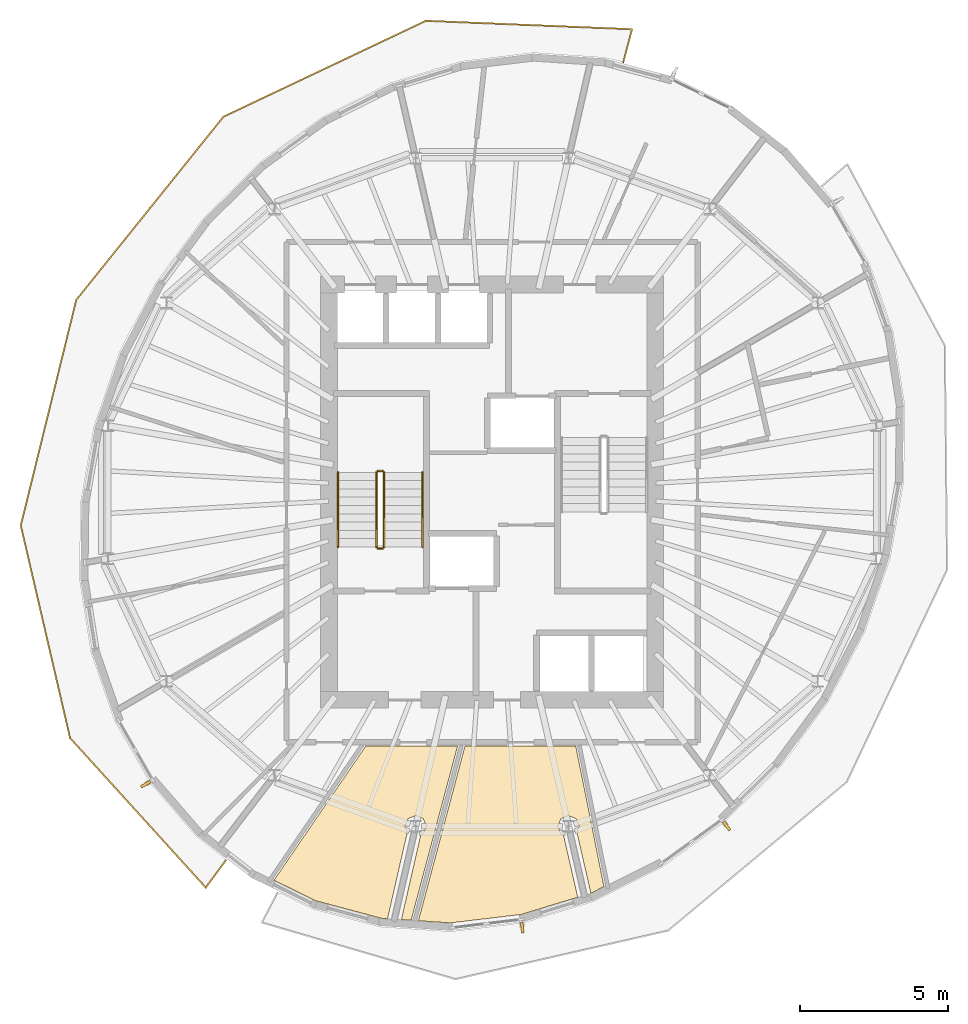
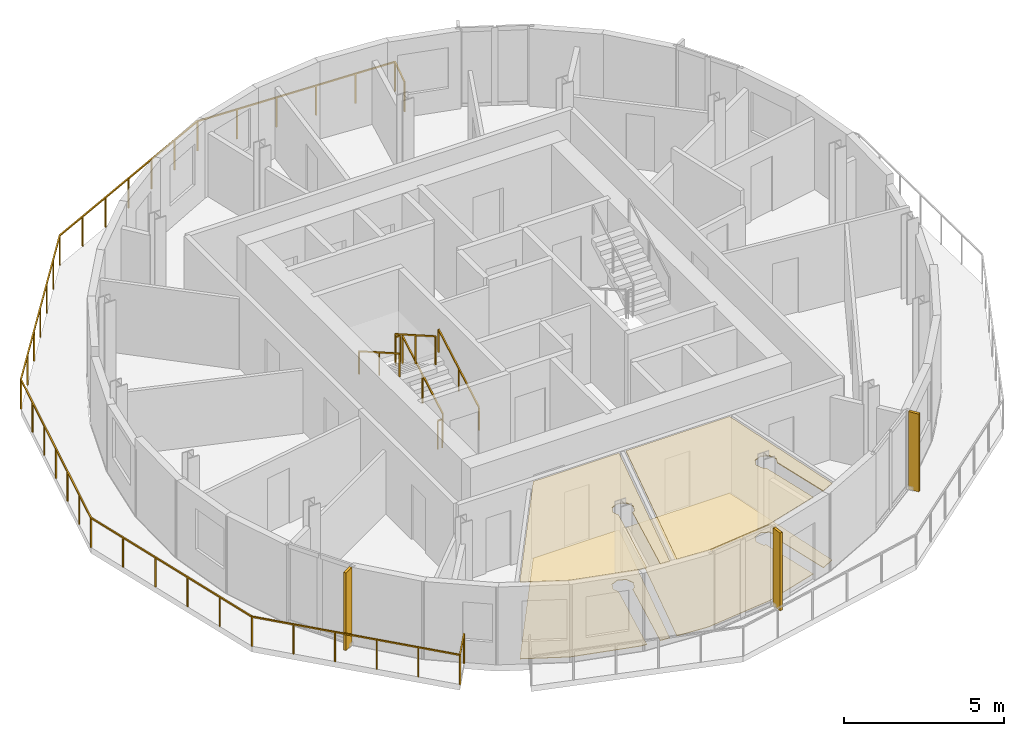
# One storey, part 8 of 9: 7 railings, 4 coverings, 3 shading devices.
"""IFC4 building model written with IfcOpenShell, lengths in metres."""

from ifc_helpers import new_model, si_unit, direction, frame, origin, origin_2d, place, context, subcontext, project, spatial, polyline, rectangle, outline, extrude, material, layer, layer_set, type_object, element, save


model = new_model("IFC4")

# Units and contexts
model_context = context("Model", 3, precision=1e-05, world=origin(), true_north=direction((0.0, 1.0)))
body_context = subcontext(model_context, "Body", "Model", "MODEL_VIEW")
ifc_project = project(units=[si_unit("LENGTHUNIT", "METRE"), si_unit("AREAUNIT", "SQUARE_METRE"), si_unit("VOLUMEUNIT", "CUBIC_METRE"), si_unit("PLANEANGLEUNIT", "RADIAN"), si_unit("MASSUNIT", "GRAM", prefix="KILO")], contexts=[model_context])

# Site, building, storey
site_placement = place(None, origin())
site = spatial("IfcSite", under=ifc_project, at=site_placement, CompositionType="ELEMENT")
building_placement = place(site_placement, origin())
building = spatial("IfcBuilding", under=site, at=building_placement, Name="Veldorim Arch Residences", CompositionType="ELEMENT")
storey_placement = place(building_placement, frame((0.0, 0.0, 230.239990234375)))
storey = spatial("IfcBuildingStorey", under=building, at=storey_placement, Name="L69", CompositionType="ELEMENT", Elevation=230.239990234375)

# Railings
ifc_material_1 = material(Name="Aluminium", Category="aluminium")
railing_type_1 = type_object("IfcRailingType", Name="Balcony & Terrace Laminated Glass Balustrade 1150", PredefinedType="BALUSTRADE", material=ifc_material_1)
railing_1_placement = place(storey_placement, frame((36.424072265625, 38.49560546875, 0.0)))
element("IfcRailing", 1, at=railing_1_placement, inside=storey, type_object=railing_type_1, Name="L69 crescent balcony safety balustrade A", PredefinedType="BALUSTRADE", context=body_context, shape_type="SweptSolid", body=[
    extrude(rectangle(XDim=0.048095703125, YDim=0.048095703125, at=origin_2d()), frame((0.0, 0.0, 1.1259765625), z_axis=(0.256050118616, 0.966663507513, 0.0), x_axis=(-0.966663507513, 0.256050118616, 0.0)), (0.0, 0.0, 1.0), 1.14990234375),
    extrude(rectangle(XDim=0.048095703125, YDim=0.048095703125, at=origin_2d()), frame((0.29443359375, 1.111572265625, 1.1259765625), z_axis=(-0.999163757182, 0.040887483829, 0.0), x_axis=(-0.040887483829, -0.999163757182, 0.0)), (0.0, 0.0, 1.0), 6.956298828125),
    extrude(rectangle(XDim=0.048095703125, YDim=0.048095703125, at=origin_2d()), frame((-6.656005859375, 1.39599609375, 1.1259765625), z_axis=(-0.9036450445, -0.428282189158, 0.0), x_axis=(0.428282189158, -0.9036450445, 0.0)), (0.0, 0.0, 1.0), 7.555419921875),
    extrude(rectangle(XDim=0.048095703125, YDim=0.048095703125, at=origin_2d()), frame((-13.4833984375, -1.83984375, 1.1259765625), z_axis=(-0.626419207254, -0.779486354456, 0.0), x_axis=(0.779486354456, -0.626419207254, 0.0)), (0.0, 0.0, 1.0), 7.919189453125),
    extrude(rectangle(XDim=0.048095703125, YDim=0.048095703125, at=origin_2d()), frame((-18.444091796875, -8.0126953125, 1.1259765625), z_axis=(-0.238829566199, -0.971061500786, 0.0), x_axis=(0.971061500786, -0.238829566199, 0.0)), (0.0, 0.0, 1.0), 7.831298828125),
    extrude(rectangle(XDim=0.048095703125, YDim=0.048095703125, at=origin_2d()), frame((-20.314453125, -15.617431640625, 1.1259765625), z_axis=(0.225884548949, -0.974154079469, 0.0), x_axis=(0.974154079469, 0.225884548949, 0.0)), (0.0, 0.0, 1.0), 7.357177734375),
    extrude(rectangle(XDim=0.048095703125, YDim=0.048095703125, at=origin_2d()), frame((-18.652587890625, -22.784423828125, 1.1259765625), z_axis=(0.672015761367, -0.740536843428, 0.0), x_axis=(0.740536843428, 0.672015761367, 0.0)), (0.0, 0.0, 1.0), 6.808837890625),
    extrude(rectangle(XDim=0.048095703125, YDim=0.048095703125, at=origin_2d()), frame((-14.076904296875, -27.82666015625, 1.1259765625), z_axis=(0.594038800594, 0.804436388653, 0.0), x_axis=(-0.804436388653, 0.594038800594, 0.0)), (0.0, 0.0, 1.0), 1.14990234375),
    extrude(rectangle(XDim=0.0419921875, YDim=0.0419921875, at=origin_2d()), origin(), (0.0, 0.0, 1.0), 1.101806640625),
    extrude(rectangle(XDim=0.0419921875, YDim=0.0419921875, at=origin_2d()), frame((0.29443359375, 1.111572265625, 0.0)), (0.0, 0.0, 1.0), 1.101806640625),
    extrude(rectangle(XDim=0.0419921875, YDim=0.0419921875, at=origin_2d()), frame((-1.095703125, 1.16845703125, 0.0)), (0.0, 0.0, 1.0), 1.101806640625),
    extrude(rectangle(XDim=0.0419921875, YDim=0.0419921875, at=origin_2d()), frame((-2.48583984375, 1.225341796875, 0.0)), (0.0, 0.0, 1.0), 1.101806640625),
    extrude(rectangle(XDim=0.0419921875, YDim=0.0419921875, at=origin_2d()), frame((-3.875732421875, 1.2822265625, 0.0)), (0.0, 0.0, 1.0), 1.101806640625),
    extrude(rectangle(XDim=0.0419921875, YDim=0.0419921875, at=origin_2d()), frame((-5.265869140625, 1.339111328125, 0.0)), (0.0, 0.0, 1.0), 1.101806640625),
    extrude(rectangle(XDim=0.0419921875, YDim=0.0419921875, at=origin_2d()), frame((-6.656005859375, 1.39599609375, 0.0)), (0.0, 0.0, 1.0), 1.101806640625),
    extrude(rectangle(XDim=0.0419921875, YDim=0.0419921875, at=origin_2d()), frame((-7.7939453125, 0.856689453125, 0.0)), (0.0, 0.0, 1.0), 1.101806640625),
    extrude(rectangle(XDim=0.0419921875, YDim=0.0419921875, at=origin_2d()), frame((-8.931884765625, 0.3173828125, 0.0)), (0.0, 0.0, 1.0), 1.101806640625),
    extrude(rectangle(XDim=0.0419921875, YDim=0.0419921875, at=origin_2d()), frame((-10.06982421875, -0.221923828125, 0.0)), (0.0, 0.0, 1.0), 1.101806640625),
    extrude(rectangle(XDim=0.0419921875, YDim=0.0419921875, at=origin_2d()), frame((-11.20751953125, -0.76123046875, 0.0)), (0.0, 0.0, 1.0), 1.101806640625),
    extrude(rectangle(XDim=0.0419921875, YDim=0.0419921875, at=origin_2d()), frame((-12.345458984375, -1.300537109375, 0.0)), (0.0, 0.0, 1.0), 1.101806640625),
    extrude(rectangle(XDim=0.0419921875, YDim=0.0419921875, at=origin_2d()), frame((-13.4833984375, -1.83984375, 0.0)), (0.0, 0.0, 1.0), 1.101806640625),
    extrude(rectangle(XDim=0.0419921875, YDim=0.0419921875, at=origin_2d()), frame((-14.31005859375, -2.86865234375, 0.0)), (0.0, 0.0, 1.0), 1.101806640625),
    extrude(rectangle(XDim=0.0419921875, YDim=0.0419921875, at=origin_2d()), frame((-15.136962890625, -3.8974609375, 0.0)), (0.0, 0.0, 1.0), 1.101806640625),
    extrude(rectangle(XDim=0.0419921875, YDim=0.0419921875, at=origin_2d()), frame((-15.9638671875, -4.92626953125, 0.0)), (0.0, 0.0, 1.0), 1.101806640625),
    extrude(rectangle(XDim=0.0419921875, YDim=0.0419921875, at=origin_2d()), frame((-16.79052734375, -5.955078125, 0.0)), (0.0, 0.0, 1.0), 1.101806640625),
    extrude(rectangle(XDim=0.0419921875, YDim=0.0419921875, at=origin_2d()), frame((-17.6171875, -6.98388671875, 0.0)), (0.0, 0.0, 1.0), 1.101806640625),
    extrude(rectangle(XDim=0.0419921875, YDim=0.0419921875, at=origin_2d()), frame((-18.444091796875, -8.0126953125, 0.0)), (0.0, 0.0, 1.0), 1.101806640625),
    extrude(rectangle(XDim=0.0419921875, YDim=0.0419921875, at=origin_2d()), frame((-18.755859375, -9.2802734375, 0.0)), (0.0, 0.0, 1.0), 1.101806640625),
    extrude(rectangle(XDim=0.0419921875, YDim=0.0419921875, at=origin_2d()), frame((-19.067626953125, -10.547607421875, 0.0)), (0.0, 0.0, 1.0), 1.101806640625),
    extrude(rectangle(XDim=0.0419921875, YDim=0.0419921875, at=origin_2d()), frame((-19.37939453125, -11.81494140625, 0.0)), (0.0, 0.0, 1.0), 1.101806640625),
    extrude(rectangle(XDim=0.0419921875, YDim=0.0419921875, at=origin_2d()), frame((-19.69091796875, -13.08251953125, 0.0)), (0.0, 0.0, 1.0), 1.101806640625),
    extrude(rectangle(XDim=0.0419921875, YDim=0.0419921875, at=origin_2d()), frame((-20.002685546875, -14.35009765625, 0.0)), (0.0, 0.0, 1.0), 1.101806640625),
    extrude(rectangle(XDim=0.0419921875, YDim=0.0419921875, at=origin_2d()), frame((-20.314453125, -15.617431640625, 0.0)), (0.0, 0.0, 1.0), 1.101806640625),
    extrude(rectangle(XDim=0.0419921875, YDim=0.0419921875, at=origin_2d()), frame((-19.982177734375, -17.05078125, 0.0)), (0.0, 0.0, 1.0), 1.101806640625),
    extrude(rectangle(XDim=0.0419921875, YDim=0.0419921875, at=origin_2d()), frame((-19.649658203125, -18.484130859375, 0.0)), (0.0, 0.0, 1.0), 1.101806640625),
    extrude(rectangle(XDim=0.0419921875, YDim=0.0419921875, at=origin_2d()), frame((-19.3173828125, -19.917724609375, 0.0)), (0.0, 0.0, 1.0), 1.101806640625),
    extrude(rectangle(XDim=0.0419921875, YDim=0.0419921875, at=origin_2d()), frame((-18.98486328125, -21.35107421875, 0.0)), (0.0, 0.0, 1.0), 1.101806640625),
    extrude(rectangle(XDim=0.0419921875, YDim=0.0419921875, at=origin_2d()), frame((-18.652587890625, -22.784423828125, 0.0)), (0.0, 0.0, 1.0), 1.101806640625),
    extrude(rectangle(XDim=0.0419921875, YDim=0.0419921875, at=origin_2d()), frame((-17.737548828125, -23.79296875, 0.0)), (0.0, 0.0, 1.0), 1.101806640625),
    extrude(rectangle(XDim=0.0419921875, YDim=0.0419921875, at=origin_2d()), frame((-16.822265625, -24.80126953125, 0.0)), (0.0, 0.0, 1.0), 1.101806640625),
    extrude(rectangle(XDim=0.0419921875, YDim=0.0419921875, at=origin_2d()), frame((-15.9072265625, -25.809814453125, 0.0)), (0.0, 0.0, 1.0), 1.101806640625),
    extrude(rectangle(XDim=0.0419921875, YDim=0.0419921875, at=origin_2d()), frame((-14.991943359375, -26.818115234375, 0.0)), (0.0, 0.0, 1.0), 1.101806640625),
    extrude(rectangle(XDim=0.0419921875, YDim=0.0419921875, at=origin_2d()), frame((-14.076904296875, -27.82666015625, 0.0)), (0.0, 0.0, 1.0), 1.101806640625),
    extrude(rectangle(XDim=0.0419921875, YDim=0.0419921875, at=origin_2d()), frame((-13.393798828125, -26.901611328125, 0.0)), (0.0, 0.0, 1.0), 1.101806640625),
])
ifc_material_2 = material(Name="Steel S355", Category="steel")
railing_type_2 = type_object("IfcRailingType", Name="Galvanised Steel Stair Safety Guardrail 1100", PredefinedType="GUARDRAIL", material=ifc_material_2)
railing_2_placement = place(storey_placement, frame((28.360107421875, 22.14990234375, 0.159912109375)))
element("IfcRailing", 2, at=railing_2_placement, inside=storey, type_object=railing_type_2, Name="L69 ST-1 stair guard 1", PredefinedType="GUARDRAIL", context=body_context, shape_type="SweptSolid", body=[
    extrude(rectangle(XDim=0.048095703125, YDim=0.048095703125, at=origin_2d()), frame((0.0, 0.0, 1.076171875), z_axis=(0.0, 0.868217259934, 0.496184229447), x_axis=(-1.0, 0.0, 0.0)), (0.0, 0.0, 1.0), 2.902587890625),
    extrude(rectangle(XDim=0.0419921875, YDim=0.0419921875, at=origin_2d()), origin(), (0.0, 0.0, 1.0), 1.052001953125),
    extrude(rectangle(XDim=0.0419921875, YDim=0.0419921875, at=origin_2d()), frame((0.0, 1.260009765625, 0.72021484375)), (0.0, 0.0, 1.0), 1.052001953125),
    extrude(rectangle(XDim=0.0419921875, YDim=0.0419921875, at=origin_2d()), frame((0.0, 2.52001953125, 1.440185546875)), (0.0, 0.0, 1.0), 1.052001953125),
])
railing_3_placement = place(storey_placement, frame((28.31005859375, 24.719970703125, 1.60009765625)))
element("IfcRailing", 3, at=railing_3_placement, inside=storey, type_object=railing_type_2, Name="L69 ST-1 stair guard 2", PredefinedType="GUARDRAIL", context=body_context, shape_type="SweptSolid", body=[
    extrude(rectangle(XDim=0.048095703125, YDim=0.048095703125, at=origin_2d()), frame((0.0, 0.0, 1.076171875), z_axis=(-1.0, 0.0, 0.0), x_axis=(0.0, -1.0, 0.0)), (0.0, 0.0, 1.0), 0.16015625),
    extrude(rectangle(XDim=0.0419921875, YDim=0.0419921875, at=origin_2d()), origin(), (0.0, 0.0, 1.0), 1.052001953125),
    extrude(rectangle(XDim=0.0419921875, YDim=0.0419921875, at=origin_2d()), frame((-0.16015625, 0.0, 0.0)), (0.0, 0.0, 1.0), 1.052001953125),
])
railing_4_placement = place(storey_placement, frame((28.10009765625, 24.669921875, 1.760009765625)))
element("IfcRailing", 4, at=railing_4_placement, inside=storey, type_object=railing_type_2, Name="L69 ST-1 stair guard 3", PredefinedType="GUARDRAIL", context=body_context, shape_type="SweptSolid", body=[
    extrude(rectangle(XDim=0.048095703125, YDim=0.048095703125, at=origin_2d()), frame((0.0, 0.0, 1.076171875), z_axis=(0.0, -0.868253494771, 0.496120820787), x_axis=(1.0, 0.0, 0.0)), (0.0, 0.0, 1.0), 2.90234375),
    extrude(rectangle(XDim=0.0419921875, YDim=0.0419921875, at=origin_2d()), origin(), (0.0, 0.0, 1.0), 1.052001953125),
    extrude(rectangle(XDim=0.0419921875, YDim=0.0419921875, at=origin_2d()), frame((0.0, -1.260009765625, 0.719970703125)), (0.0, 0.0, 1.0), 1.052001953125),
    extrude(rectangle(XDim=0.0419921875, YDim=0.0419921875, at=origin_2d()), frame((0.0, -2.52001953125, 1.43994140625)), (0.0, 0.0, 1.0), 1.052001953125),
])
railing_5_placement = place(storey_placement, frame((28.31005859375, 22.10009765625, 0.0)))
element("IfcRailing", 5, at=railing_5_placement, inside=storey, type_object=railing_type_2, Name="L69 ST-1 stair guard 4", PredefinedType="GUARDRAIL", context=body_context, shape_type="SweptSolid", body=[
    extrude(rectangle(XDim=0.048095703125, YDim=0.048095703125, at=origin_2d()), frame((0.0, 0.0, 1.076171875), z_axis=(-1.0, 0.0, 0.0), x_axis=(0.0, -1.0, 0.0)), (0.0, 0.0, 1.0), 0.16015625),
    extrude(rectangle(XDim=0.0419921875, YDim=0.0419921875, at=origin_2d()), origin(), (0.0, 0.0, 1.0), 1.052001953125),
    extrude(rectangle(XDim=0.0419921875, YDim=0.0419921875, at=origin_2d()), frame((-0.16015625, 0.0, 0.0)), (0.0, 0.0, 1.0), 1.052001953125),
])

# Coverings
ifc_material_3 = material(Name="Acoustic Gypsum & Mineral Fibre", Category="gypsum")
ifc_layer_1 = layer(ifc_material_3, 0.034912109375, Name="Perforated Acoustic Mineral-Fibre Ceiling 35")
ifc_layer_set_1 = layer_set([ifc_layer_1], Name="Acoustic Gypsum & Mineral Fibre")
covering_type_1 = type_object("IfcCoveringType", Name="Perforated Acoustic Mineral-Fibre Ceiling 35", PredefinedType="CEILING", material=ifc_layer_set_1)
covering_1_placement = place(storey_placement, frame((0.0, 0.0, 2.905029296875)))
element("IfcCovering", 6, at=covering_1_placement, inside=storey, type_object=covering_type_1, Name="L69 acoustic suspended ceiling 01", PredefinedType="CEILING", context=body_context, shape_type="SweptSolid", body=[
    extrude(outline(polyline([(34.9345703125, 12.740478515625), (34.829345703125, 12.99462890625), (34.5751953125, 13.10009765625), (34.321044921875, 12.99462890625), (34.2158203125, 12.740478515625), (34.321044921875, 12.486572265625), (34.40576171875, 12.451416015625), (34.886962890625, 10.346923828125), (32.97802734375, 9.764892578125), (30.60009765625, 9.481201171875), (29.514404296875, 9.553955078125), (31.08642578125, 15.449951171875), (34.819091796875, 15.449951171875), (35.772216796875, 10.7041015625), (35.32763671875, 10.4814453125), (34.85498046875, 12.548095703125), (34.9345703125, 12.740478515625)])), origin(), (0.0, 0.0, 1.0), 0.034912109375),
])
covering_2_placement = place(storey_placement, frame((0.0, 0.0, 2.905029296875)))
element("IfcCovering", 7, at=covering_2_placement, inside=storey, type_object=covering_type_1, Name="L69 acoustic suspended ceiling 02", PredefinedType="CEILING", context=body_context, shape_type="SweptSolid", body=[
    extrude(outline(polyline([(28.476318359375, 9.62353515625), (28.26708984375, 9.6376953125), (26.048583984375, 10.228515625), (24.6484375, 10.92041015625), (27.748291015625, 15.449951171875), (30.837890625, 15.449951171875), (29.2705078125, 9.5703125), (28.9404296875, 9.592529296875), (29.59423828125, 12.451416015625), (29.678955078125, 12.486572265625), (29.7841796875, 12.740478515625), (29.678955078125, 12.99462890625), (29.4248046875, 13.10009765625), (29.170654296875, 12.99462890625), (29.0654296875, 12.740478515625), (29.14501953125, 12.548095703125), (28.476318359375, 9.62353515625)])), origin(), (0.0, 0.0, 1.0), 0.034912109375),
])
ifc_material_4 = material(Name="Porcelain Ceramic Tile", Category="ceramic")
ifc_layer_2 = layer(ifc_material_4, 0.02001953125, Name="Slip-Resistant Porcelain & Vinyl Floor Finish 20")
ifc_layer_set_2 = layer_set([ifc_layer_2], Name="Porcelain Ceramic Tile")
covering_type_2 = type_object("IfcCoveringType", Name="Slip-Resistant Porcelain & Vinyl Floor Finish 20", PredefinedType="FLOORING", material=ifc_layer_set_2)
covering_3_placement = place(storey_placement, origin())
element("IfcCovering", 8, at=covering_3_placement, inside=storey, type_object=covering_type_2, Name="L69 porcelain floor finish 01", PredefinedType="FLOORING", context=body_context, shape_type="SweptSolid", body=[
    extrude(outline(polyline([(34.9345703125, 12.740478515625), (34.829345703125, 12.99462890625), (34.5751953125, 13.10009765625), (34.321044921875, 12.99462890625), (34.2158203125, 12.740478515625), (34.321044921875, 12.486572265625), (34.40576171875, 12.451416015625), (34.886962890625, 10.346923828125), (32.97802734375, 9.764892578125), (30.60009765625, 9.481201171875), (29.514404296875, 9.553955078125), (31.08642578125, 15.449951171875), (34.819091796875, 15.449951171875), (35.772216796875, 10.7041015625), (35.32763671875, 10.4814453125), (34.85498046875, 12.548095703125), (34.9345703125, 12.740478515625)])), origin(), (0.0, 0.0, 1.0), 0.02001953125),
])
covering_4_placement = place(storey_placement, origin())
element("IfcCovering", 9, at=covering_4_placement, inside=storey, type_object=covering_type_2, Name="L69 porcelain floor finish 02", PredefinedType="FLOORING", context=body_context, shape_type="SweptSolid", body=[
    extrude(outline(polyline([(28.476318359375, 9.62353515625), (28.26708984375, 9.6376953125), (26.048583984375, 10.228515625), (24.6484375, 10.92041015625), (27.748291015625, 15.449951171875), (30.837890625, 15.449951171875), (29.2705078125, 9.5703125), (28.9404296875, 9.592529296875), (29.59423828125, 12.451416015625), (29.678955078125, 12.486572265625), (29.7841796875, 12.740478515625), (29.678955078125, 12.99462890625), (29.4248046875, 13.10009765625), (29.170654296875, 12.99462890625), (29.0654296875, 12.740478515625), (29.14501953125, 12.548095703125), (28.476318359375, 9.62353515625)])), origin(), (0.0, 0.0, 1.0), 0.02001953125),
])

# Railings
ifc_material_5 = material(Name="Stainless Steel", Category="steel")
railing_type_3 = type_object("IfcRailingType", Name="Tubular Steel Continuous Wall Handrail 900", PredefinedType="HANDRAIL", material=ifc_material_5)
railing_6_placement = place(storey_placement, frame((29.659912109375, 22.14990234375, 0.159912109375)))
element("IfcRailing", 10, at=railing_6_placement, inside=storey, type_object=railing_type_3, Name="L69 ST-1 stair handrail 1", PredefinedType="HANDRAIL", context=body_context, shape_type="SweptSolid", body=[
    extrude(rectangle(XDim=0.048095703125, YDim=0.048095703125, at=origin_2d()), frame((0.0, 0.0, 0.8759765625), z_axis=(0.0, 0.868217259934, 0.496184229447), x_axis=(-1.0, 0.0, 0.0)), (0.0, 0.0, 1.0), 2.902587890625),
    extrude(rectangle(XDim=0.0419921875, YDim=0.0419921875, at=origin_2d()), origin(), (0.0, 0.0, 1.0), 0.851806640625),
    extrude(rectangle(XDim=0.0419921875, YDim=0.0419921875, at=origin_2d()), frame((0.0, 1.260009765625, 0.72021484375)), (0.0, 0.0, 1.0), 0.851806640625),
    extrude(rectangle(XDim=0.0419921875, YDim=0.0419921875, at=origin_2d()), frame((0.0, 2.52001953125, 1.440185546875)), (0.0, 0.0, 1.0), 0.851806640625),
])
railing_7_placement = place(storey_placement, frame((26.800048828125, 24.669921875, 1.760009765625)))
element("IfcRailing", 11, at=railing_7_placement, inside=storey, type_object=railing_type_3, Name="L69 ST-1 stair handrail 2", PredefinedType="HANDRAIL", context=body_context, shape_type="SweptSolid", body=[
    extrude(rectangle(XDim=0.048095703125, YDim=0.048095703125, at=origin_2d()), frame((0.0, 0.0, 0.8759765625), z_axis=(0.0, -0.868253494771, 0.496120820787), x_axis=(1.0, 0.0, 0.0)), (0.0, 0.0, 1.0), 2.90234375),
    extrude(rectangle(XDim=0.0419921875, YDim=0.0419921875, at=origin_2d()), origin(), (0.0, 0.0, 1.0), 0.851806640625),
    extrude(rectangle(XDim=0.0419921875, YDim=0.0419921875, at=origin_2d()), frame((0.0, -1.260009765625, 0.719970703125)), (0.0, 0.0, 1.0), 0.851806640625),
    extrude(rectangle(XDim=0.0419921875, YDim=0.0419921875, at=origin_2d()), frame((0.0, -2.52001953125, 1.43994140625)), (0.0, 0.0, 1.0), 0.851806640625),
])

# Shading devices
ifc_material_6 = material(Name="Terracotta Ceramic", Category="masonry")
ifc_layer_3 = layer(ifc_material_6, 0.090087890625, Name="Vertical Extruded Terracotta Baguette Sun-Shading Fin")
ifc_layer_set_3 = layer_set([ifc_layer_3], Name="Terracotta Ceramic")
shading_device_type = type_object("IfcShadingDeviceType", Name="Vertical Extruded Terracotta Baguette Sun-Shading Fin", PredefinedType="USERDEFINED", material=ifc_layer_set_3)
for number, where, z_axis, x_axis, name in (
    (12, (20.32373046875, 14.155517578125, 0.0), (0.0, 0.0, 1.0), (-0.496216503675, 0.868198814489, 0.0), "L69 vertical terracotta sun-shading fin 16"),
    (13, (33.01611328125, 9.323974609375, 0.0), (0.0, 0.0, 1.0), (-0.992944827592, -0.118577271677, 0.0), "L69 vertical terracotta sun-shading fin 22"),
    (14, (39.906982421875, 12.748291015625, 0.0), (0.0, 0.0, 1.0), (-0.81014396939, -0.586230968869, 0.0), "L69 vertical terracotta sun-shading fin 25"),
):
    element("IfcShadingDevice", number, at=place(storey_placement, frame(where, z_axis=z_axis, x_axis=x_axis)), inside=storey, type_object=shading_device_type, Name=name, ObjectType="FIN", PredefinedType="USERDEFINED", context=body_context, shape_type="SweptSolid", body=[
        extrude(rectangle(XDim=0.090087890625, YDim=0.360107421875, at=origin_2d()), origin(), (0.0, 0.0, 1.0), 2.9599609375),
    ])

save(model, "model.ifc")
